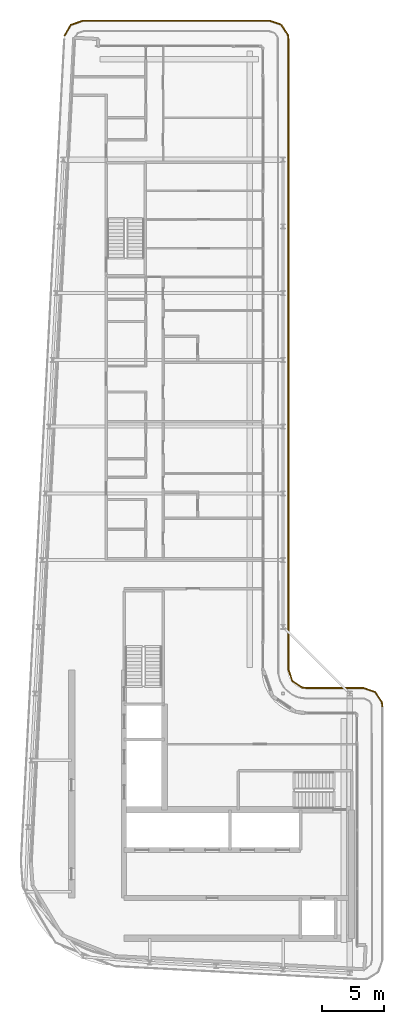
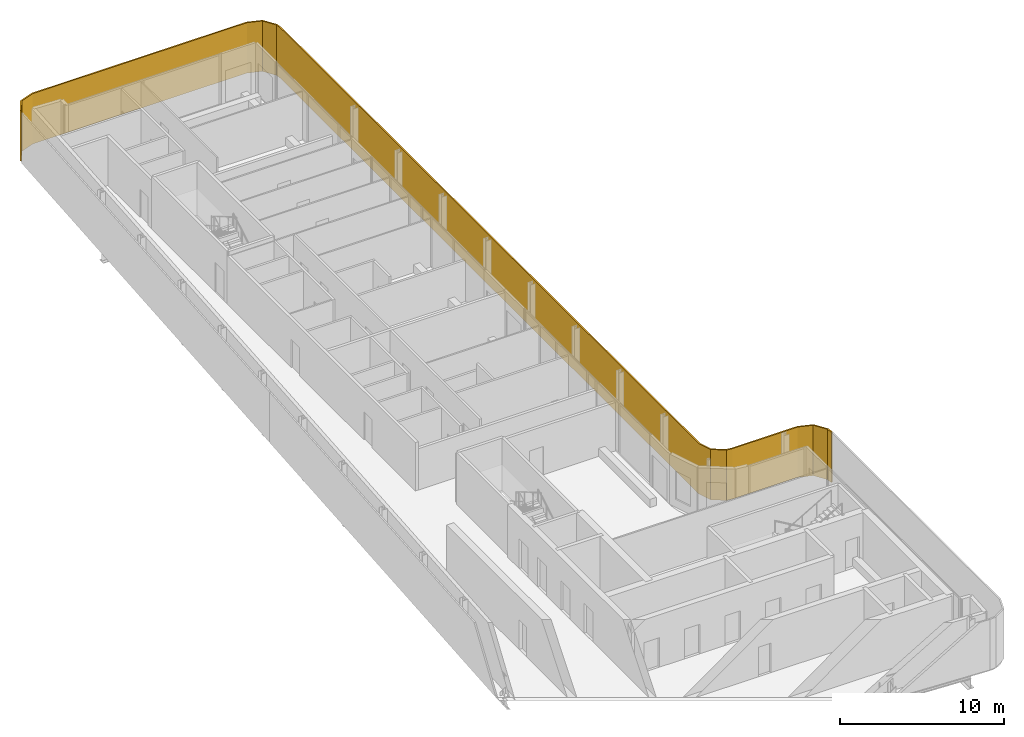
# One storey, part 17 of 18: 1 shading device.
"""IFC4 building model written with IfcOpenShell, lengths in metres."""

from ifc_helpers import new_model, si_unit, direction, frame, origin, place, context, subcontext, project, spatial, polyline, outline, extrude, material, layer, layer_set, type_object, element, save


model = new_model("IFC4")

# Units and contexts
model_context = context("Model", 3, precision=1e-05, world=origin(), true_north=direction((0.0, 1.0)))
body_context = subcontext(model_context, "Body", "Model", "MODEL_VIEW")
ifc_project = project(units=[si_unit("LENGTHUNIT", "METRE"), si_unit("AREAUNIT", "SQUARE_METRE"), si_unit("VOLUMEUNIT", "CUBIC_METRE"), si_unit("PLANEANGLEUNIT", "RADIAN"), si_unit("MASSUNIT", "GRAM", prefix="KILO")], contexts=[model_context])

# Site, building, storey
site_placement = place(None, origin())
site = spatial("IfcSite", under=ifc_project, at=site_placement, CompositionType="ELEMENT")
building_placement = place(site_placement, origin())
building = spatial("IfcBuilding", under=site, at=building_placement, Name="Kheshtan School and Residences Tower", CompositionType="ELEMENT")
storey_placement = place(building_placement, frame((0.0, 0.0, 377.300048828125)))
storey = spatial("IfcBuildingStorey", under=building, at=storey_placement, Name="L89", CompositionType="ELEMENT", Elevation=377.300048828125)

# Shading device
ifc_material = material(Name="Terracotta lattice, extruded ceramic", Category="masonry")
ifc_layer = layer(ifc_material, 0.10009765625)
ifc_layer_set = layer_set([ifc_layer], Name="Loggia screen, terracotta lattice")
shading_device_type = type_object("IfcShadingDeviceType", Name="Loggia screen, terracotta lattice", PredefinedType="USERDEFINED", material=ifc_layer_set)
shading_device_placement = place(storey_placement, origin())
element("IfcShadingDevice", 1, at=shading_device_placement, inside=storey, type_object=shading_device_type, Name="Screen L89 1", ObjectType="SCREEN", PredefinedType="USERDEFINED", context=body_context, shape_type="SweptSolid", body=[
    extrude(outline(polyline([(29.949951171875, 98.783935546875), (30.468017578125, 99.656982421875), (31.423095703125, 100.0), (46.5, 100.0), (47.4130859375, 99.68994140625), (47.948974609375, 98.887939453125), (48.0, 98.5), (48.0, 47.5), (48.31005859375, 46.5869140625), (49.112060546875, 46.051025390625), (49.5, 46.0), (54.10009765625, 46.0), (55.012939453125, 45.68994140625), (55.549072265625, 44.887939453125), (55.60009765625, 44.5), (55.698974609375, 44.512939453125), (55.64501953125, 44.924072265625), (55.076904296875, 45.77392578125), (54.116943359375, 46.10009765625), (49.507080078125, 46.10009765625), (49.14794921875, 46.14697265625), (48.39404296875, 46.65087890625), (48.10009765625, 47.51708984375), (48.10009765625, 98.507080078125), (48.044921875, 98.924072265625), (47.47705078125, 99.77392578125), (46.51708984375, 100.10009765625), (31.406005859375, 100.10009765625), (30.39990234375, 99.739013671875), (29.864013671875, 98.8349609375), (29.949951171875, 98.783935546875)])), origin(), (0.0, 0.0, 1.0), 3.75),
])

save(model, "model.ifc")
